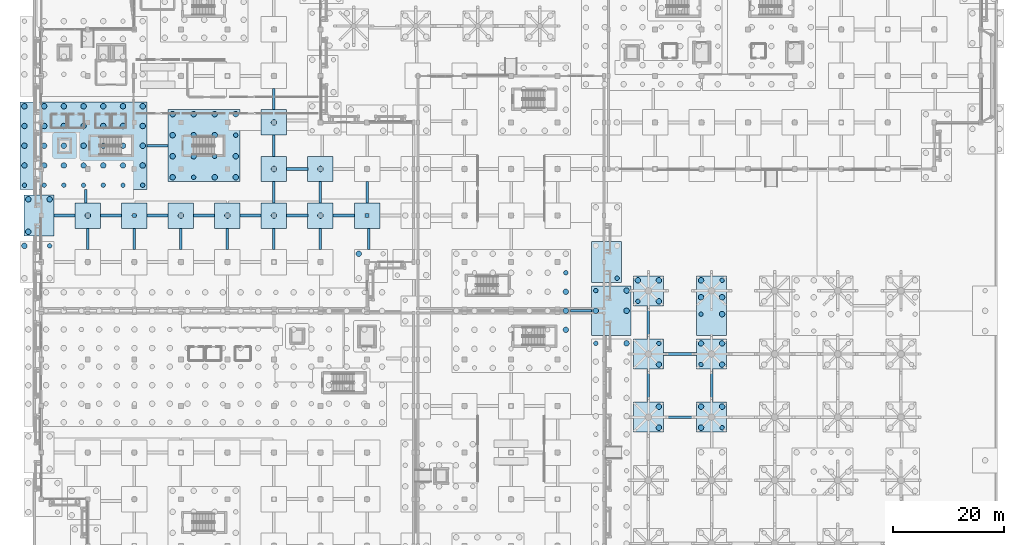
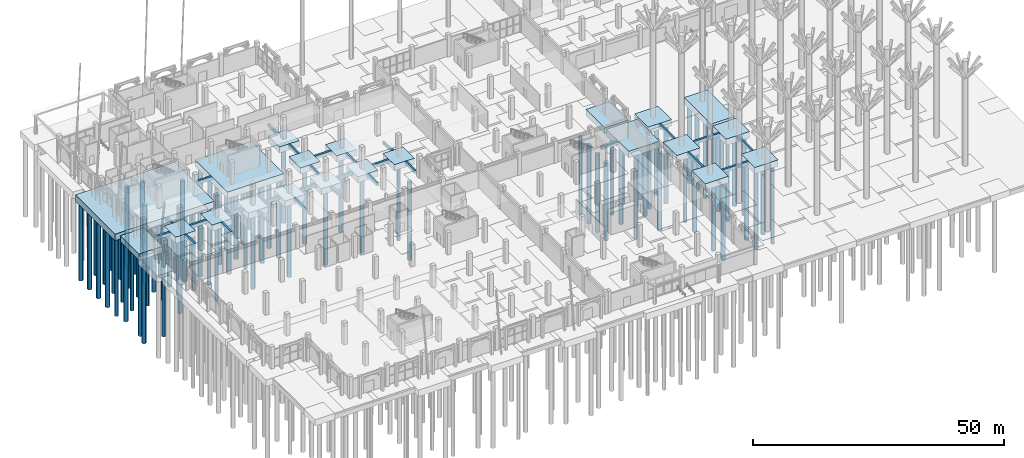
# One storey, part 4 of 98: 100 piles, 49 footings.
"""IFC4 building model written with IfcOpenShell, lengths in metres."""

from ifc_helpers import new_model, si_unit, direction, frame, origin, origin_2d, place, context, subcontext, project, spatial, rectangle, circle, extrude, material, material_profile, profile_set, type_object, element, save


model = new_model("IFC4")

# Units and contexts
model_context = context("Model", 3, precision=1e-05, world=origin(), true_north=direction((0.0, 1.0)))
body_context = subcontext(model_context, "Body", "Model", "MODEL_VIEW")
ifc_project = project(units=[si_unit("LENGTHUNIT", "METRE"), si_unit("AREAUNIT", "SQUARE_METRE"), si_unit("VOLUMEUNIT", "CUBIC_METRE"), si_unit("PLANEANGLEUNIT", "RADIAN"), si_unit("MASSUNIT", "GRAM", prefix="KILO")], contexts=[model_context])

# Site, building, storey
site_placement = place(None, origin())
site = spatial("IfcSite", under=ifc_project, at=site_placement, CompositionType="ELEMENT")
building_placement = place(site_placement, origin())
building = spatial("IfcBuilding", under=site, at=building_placement, Name="Xazarin Passage Department Store", CompositionType="ELEMENT")
storey_placement = place(building_placement, origin())
storey = spatial("IfcBuildingStorey", under=building, at=storey_placement, Name="L00", CompositionType="ELEMENT", Elevation=0.0)

# Footings
ifc_material = material(Name="Concrete C35/45", Category="concrete")
footing_type_1 = type_object("IfcFootingType", Name="STR-CAP-PC11", PredefinedType="PILE_CAP", material=ifc_material)
for number, where, z_axis, x_axis, name in (
    (1, (8.39990234375, 68.0, -1.5), (0.0, 0.0, 1.0), (1.0, 0.0, 0.0), "Pile Cap 093"),
    (2, (16.800048828125, 68.0, -1.5), (0.0, 0.0, 1.0), (1.0, 0.0, 0.0), "Pile Cap 094"),
    (3, (25.199951171875, 68.0, -1.5), (0.0, 0.0, 1.0), (1.0, 0.0, 0.0), "Pile Cap 095"),
    (4, (33.60009765625, 68.0, -1.5), (0.0, 0.0, 1.0), (1.0, 0.0, 0.0), "Pile Cap 096"),
    (5, (42.0, 68.0, -1.5), (0.0, 0.0, 1.0), (1.0, 0.0, 0.0), "Pile Cap 097"),
    (6, (50.39990234375, 68.0, -1.5), (0.0, 0.0, 1.0), (1.0, 0.0, 0.0), "Pile Cap 098"),
    (7, (58.800048828125, 68.0, -1.5), (0.0, 0.0, 1.0), (1.0, 0.0, 0.0), "Pile Cap 099"),
    (8, (42.0, 76.39990234375, -1.5), (0.0, 0.0, 1.0), (1.0, 0.0, 0.0), "Pile Cap 106"),
    (9, (50.39990234375, 76.39990234375, -1.5), (0.0, 0.0, 1.0), (1.0, 0.0, 0.0), "Pile Cap 107"),
    (10, (42.0, 84.800048828125, -1.5), (0.0, 0.0, 1.0), (1.0, 0.0, 0.0), "Pile Cap 123"),
):
    element("IfcFooting", number, at=place(storey_placement, frame(where, z_axis=z_axis, x_axis=x_axis)), inside=storey, type_object=footing_type_1, Name=name, PredefinedType="PILE_CAP", context=body_context, shape_type="SweptSolid", body=[
        extrude(rectangle(XDim=4.60009765625, YDim=4.60009765625, at=origin_2d()), origin(), (0.0, 0.0, 1.0), 1.5),
    ])
footing_type_2 = type_object("IfcFootingType", Name="STR-CAP-PC12", PredefinedType="PILE_CAP", material=ifc_material)
footing_1_placement = place(storey_placement, frame((29.39990234375, 80.60009765625, -1.60009765625), z_axis=(0.0, 0.0, 1.0), x_axis=(1.0, 0.0, 0.0)))
element("IfcFooting", 11, at=footing_1_placement, inside=storey, type_object=footing_type_2, Name="Pile Cap 105", PredefinedType="PILE_CAP", context=body_context, shape_type="SweptSolid", body=[
    extrude(rectangle(XDim=13.0, YDim=13.0, at=origin_2d()), origin(), (0.0, 0.0, 1.0), 1.60009765625),
])
footing_type_3 = type_object("IfcFootingType", Name="STR-CAP-PC14", PredefinedType="PILE_CAP", material=ifc_material)
for number, where, z_axis, x_axis, name in (
    (12, (109.60009765625, 31.60009765625, -1.5498046875), (0.0, 0.0, 1.0), (1.0, 0.0, 0.0), "Pile Cap 056"),
    (13, (121.0, 31.60009765625, -1.5498046875), (0.0, 0.0, 1.0), (1.0, 0.0, 0.0), "Pile Cap 057"),
    (14, (109.60009765625, 43.0, -1.5498046875), (0.0, 0.0, 1.0), (1.0, 0.0, 0.0), "Pile Cap 068"),
    (15, (121.0, 43.0, -1.5498046875), (0.0, 0.0, 1.0), (1.0, 0.0, 0.0), "Pile Cap 069"),
    (16, (109.60009765625, 54.39990234375, -1.5498046875), (0.0, 0.0, 1.0), (1.0, 0.0, 0.0), "Pile Cap 079"),
):
    element("IfcFooting", number, at=place(storey_placement, frame(where, z_axis=z_axis, x_axis=x_axis)), inside=storey, type_object=footing_type_3, Name=name, PredefinedType="PILE_CAP", context=body_context, shape_type="SweptSolid", body=[
        extrude(rectangle(XDim=5.39990234375, YDim=5.39990234375, at=origin_2d()), origin(), (0.0, 0.0, 1.0), 1.550048828125),
    ])
footing_type_4 = type_object("IfcFootingType", Name="STR-CAP-PC22", PredefinedType="PILE_CAP", material=ifc_material)
footing_2_placement = place(storey_placement, frame((102.8798828125, 50.800048828125, -1.60009765625), z_axis=(0.0, 0.0, 1.0), x_axis=(0.0, 1.0, 0.0)))
element("IfcFooting", 17, at=footing_2_placement, inside=storey, type_object=footing_type_4, Name="Pile Cap 073", PredefinedType="PILE_CAP", context=body_context, shape_type="SweptSolid", body=[
    extrude(rectangle(XDim=8.89990234375, YDim=7.14990234375, at=origin_2d()), origin(), (0.0, 0.0, 1.0), 1.60009765625),
])
footing_type_5 = type_object("IfcFootingType", Name="STR-CAP-PC23", PredefinedType="PILE_CAP", material=ifc_material)
footing_3_placement = place(storey_placement, frame((121.0, 51.719970703125, -1.60009765625), z_axis=(0.0, 0.0, 1.0), x_axis=(0.0, 1.0, 0.0)))
element("IfcFooting", 18, at=footing_3_placement, inside=storey, type_object=footing_type_5, Name="Pile Cap 074", PredefinedType="PILE_CAP", context=body_context, shape_type="SweptSolid", body=[
    extrude(rectangle(XDim=10.75, YDim=5.39990234375, at=origin_2d()), origin(), (0.0, 0.0, 1.0), 1.60009765625),
])
footing_type_6 = type_object("IfcFootingType", Name="STR-CAP-PC28", PredefinedType="PILE_CAP", material=ifc_material)
footing_4_placement = place(storey_placement, frame((7.625, 80.60009765625, -1.60009765625), z_axis=(0.0, 0.0, 1.0), x_axis=(1.0, 0.0, 0.0)))
element("IfcFooting", 19, at=footing_4_placement, inside=storey, type_object=footing_type_6, Name="Pile Cap 104", PredefinedType="PILE_CAP", context=body_context, shape_type="SweptSolid", body=[
    extrude(rectangle(XDim=22.949951171875, YDim=15.85009765625, at=origin_2d()), origin(), (0.0, 0.0, 1.0), 1.60009765625),
])
footing_type_7 = type_object("IfcFootingType", Name="STR-CAP-PC8", PredefinedType="PILE_CAP", material=ifc_material)
for number, where, z_axis, x_axis, name in (
    (20, (102.02490234375, 59.60009765625, -1.5498046875), (0.0, 0.0, 1.0), (0.0, 1.0, 0.0), "Pile Cap 083"),
    (21, (-0.425048828125, 68.0, -1.5498046875), (0.0, 0.0, 1.0), (0.0, 1.0, 0.0), "Pile Cap 091"),
):
    element("IfcFooting", number, at=place(storey_placement, frame(where, z_axis=z_axis, x_axis=x_axis)), inside=storey, type_object=footing_type_7, Name=name, PredefinedType="PILE_CAP", context=body_context, shape_type="SweptSolid", body=[
        extrude(rectangle(XDim=7.449951171875, YDim=5.449951171875, at=origin_2d()), origin(), (0.0, 0.0, 1.0), 1.550048828125),
    ])
ifc_material_profile_1 = material_profile(ifc_material, rectangle(XDim=0.449951171875, YDim=0.699951171875, at=origin_2d()), Name="RC 450x700")
ifc_profile_set_1 = profile_set([ifc_material_profile_1], Name="Concrete C35/45")
footing_type_8 = type_object("IfcFootingType", Name="STR-FTG-TB450x700", PredefinedType="FOOTING_BEAM", material=ifc_profile_set_1)
for number, where, z_axis, x_axis, name in (
    (22, (109.60009765625, 34.300048828125, -0.35009765625), (0.0, 1.0, 0.0), (-1.0, 0.0, 0.0), "Ground Tie Beam 052"),
    (23, (121.0, 34.300048828125, -0.35009765625), (0.0, 1.0, 0.0), (-1.0, 0.0, 0.0), "Ground Tie Beam 054"),
    (24, (109.60009765625, 45.699951171875, -0.35009765625), (0.0, 1.0, 0.0), (-1.0, 0.0, 0.0), "Ground Tie Beam 070"),
):
    element("IfcFooting", number, at=place(storey_placement, frame(where, z_axis=z_axis, x_axis=x_axis)), inside=storey, type_object=footing_type_8, Name=name, PredefinedType="FOOTING_BEAM", context=body_context, shape_type="SweptSolid", body=[
        extrude(rectangle(XDim=0.449951171875, YDim=0.699951171875, at=origin_2d()), origin(), (0.0, 0.0, 1.0), 6.0),
    ])
footing_5_placement = place(storey_placement, frame((59.155029296875, 61.889892578125, -0.35009765625), z_axis=(0.0, 1.0, 0.0), x_axis=(-1.0, 0.0, 0.0)))
element("IfcFooting", 25, at=footing_5_placement, inside=storey, type_object=footing_type_8, Name="Ground Tie Beam 078", PredefinedType="FOOTING_BEAM", context=body_context, shape_type="SweptSolid", body=[
    extrude(rectangle(XDim=0.449951171875, YDim=0.699951171875, at=origin_2d()), origin(), (0.0, 0.0, 1.0), 3.81005859375),
])
for number, where, z_axis, x_axis, name in (
    (26, (8.39990234375, 61.89990234375, -0.35009765625), (0.0, 1.0, 0.0), (-1.0, 0.0, 0.0), "Ground Tie Beam 081"),
    (27, (16.800048828125, 61.89990234375, -0.35009765625), (0.0, 1.0, 0.0), (-1.0, 0.0, 0.0), "Ground Tie Beam 083"),
    (28, (25.199951171875, 61.89990234375, -0.35009765625), (0.0, 1.0, 0.0), (-1.0, 0.0, 0.0), "Ground Tie Beam 085"),
    (29, (33.60009765625, 61.89990234375, -0.35009765625), (0.0, 1.0, 0.0), (-1.0, 0.0, 0.0), "Ground Tie Beam 087"),
    (30, (42.0, 61.89990234375, -0.35009765625), (0.0, 1.0, 0.0), (-1.0, 0.0, 0.0), "Ground Tie Beam 089"),
    (31, (50.39990234375, 61.89990234375, -0.35009765625), (0.0, 1.0, 0.0), (-1.0, 0.0, 0.0), "Ground Tie Beam 090"),
):
    element("IfcFooting", number, at=place(storey_placement, frame(where, z_axis=z_axis, x_axis=x_axis)), inside=storey, type_object=footing_type_8, Name=name, PredefinedType="FOOTING_BEAM", context=body_context, shape_type="SweptSolid", body=[
        extrude(rectangle(XDim=0.449951171875, YDim=0.699951171875, at=origin_2d()), origin(), (0.0, 0.0, 1.0), 3.800048828125),
    ])
footing_6_placement = place(storey_placement, frame((8.012451171875, 70.300048828125, -0.35009765625), z_axis=(0.0, 1.0, 0.0), x_axis=(-1.0, 0.0, 0.0)))
element("IfcFooting", 32, at=footing_6_placement, inside=storey, type_object=footing_type_8, Name="Ground Tie Beam 094", PredefinedType="FOOTING_BEAM", context=body_context, shape_type="SweptSolid", body=[
    extrude(rectangle(XDim=0.449951171875, YDim=0.699951171875, at=origin_2d()), origin(), (0.0, 0.0, 1.0), 2.375),
])
for number, where, z_axis, x_axis, name in (
    (33, (42.0, 70.300048828125, -0.35009765625), (0.0, 1.0, 0.0), (-1.0, 0.0, 0.0), "Ground Tie Beam 099"),
    (34, (50.39990234375, 70.300048828125, -0.35009765625), (0.0, 1.0, 0.0), (-1.0, 0.0, 0.0), "Ground Tie Beam 101"),
    (35, (58.800048828125, 70.300048828125, -0.35009765625), (0.0, 1.0, 0.0), (-1.0, 0.0, 0.0), "Ground Tie Beam 103"),
    (36, (42.0, 78.699951171875, -0.35009765625), (0.0, 1.0, 0.0), (-1.0, 0.0, 0.0), "Ground Tie Beam 113"),
):
    element("IfcFooting", number, at=place(storey_placement, frame(where, z_axis=z_axis, x_axis=x_axis)), inside=storey, type_object=footing_type_8, Name=name, PredefinedType="FOOTING_BEAM", context=body_context, shape_type="SweptSolid", body=[
        extrude(rectangle(XDim=0.449951171875, YDim=0.699951171875, at=origin_2d()), origin(), (0.0, 0.0, 1.0), 3.800048828125),
    ])
footing_7_placement = place(storey_placement, frame((42.0, 87.10009765625, -0.35009765625), z_axis=(0.0, 1.0, 0.0), x_axis=(-1.0, 0.0, 0.0)))
element("IfcFooting", 37, at=footing_7_placement, inside=storey, type_object=footing_type_8, Name="Ground Tie Beam 140", PredefinedType="FOOTING_BEAM", context=body_context, shape_type="SweptSolid", body=[
    extrude(rectangle(XDim=0.449951171875, YDim=0.699951171875, at=origin_2d()), origin(), (0.0, 0.0, 1.0), 3.7998046875),
])
ifc_material_profile_2 = material_profile(ifc_material, rectangle(XDim=0.5, YDim=0.800048828125, at=origin_2d()), Name="RC 500x800")
ifc_profile_set_2 = profile_set([ifc_material_profile_2], Name="Concrete C35/45")
footing_type_9 = type_object("IfcFootingType", Name="STR-FTG-TB500x800", PredefinedType="FOOTING_BEAM", material=ifc_profile_set_2)
footing_8_placement = place(storey_placement, frame((112.300048828125, 31.60009765625, -0.39990234375), z_axis=(1.0, 0.0, 0.0), x_axis=(0.0, 1.0, 0.0)))
element("IfcFooting", 38, at=footing_8_placement, inside=storey, type_object=footing_type_9, Name="Ground Tie Beam 051", PredefinedType="FOOTING_BEAM", context=body_context, shape_type="SweptSolid", body=[
    extrude(rectangle(XDim=0.5, YDim=0.800048828125, at=origin_2d()), origin(), (0.0, 0.0, 1.0), 6.0),
])
footing_9_placement = place(storey_placement, frame((95.5, 50.800048828125, -0.39990234375), z_axis=(1.0, 0.0, 0.0), x_axis=(0.0, 1.0, 0.0)))
element("IfcFooting", 39, at=footing_9_placement, inside=storey, type_object=footing_type_9, Name="Ground Tie Beam 067", PredefinedType="FOOTING_BEAM", context=body_context, shape_type="SweptSolid", body=[
    extrude(rectangle(XDim=0.5, YDim=0.800048828125, at=origin_2d()), origin(), (0.0, 0.0, 1.0), 3.804931640625),
])
footing_10_placement = place(storey_placement, frame((112.300048828125, 43.0, -0.39990234375), z_axis=(1.0, 0.0, 0.0), x_axis=(0.0, 1.0, 0.0)))
element("IfcFooting", 40, at=footing_10_placement, inside=storey, type_object=footing_type_9, Name="Ground Tie Beam 069", PredefinedType="FOOTING_BEAM", context=body_context, shape_type="SweptSolid", body=[
    extrude(rectangle(XDim=0.5, YDim=0.800048828125, at=origin_2d()), origin(), (0.0, 0.0, 1.0), 6.0),
])
for number, where, z_axis, x_axis, name in (
    (41, (2.300048828125, 68.0, -0.39990234375), (1.0, 0.0, 0.0), (0.0, 1.0, 0.0), "Ground Tie Beam 091"),
    (42, (10.699951171875, 68.0, -0.39990234375), (1.0, 0.0, 0.0), (0.0, 1.0, 0.0), "Ground Tie Beam 093"),
):
    element("IfcFooting", number, at=place(storey_placement, frame(where, z_axis=z_axis, x_axis=x_axis)), inside=storey, type_object=footing_type_9, Name=name, PredefinedType="FOOTING_BEAM", context=body_context, shape_type="SweptSolid", body=[
        extrude(rectangle(XDim=0.5, YDim=0.800048828125, at=origin_2d()), origin(), (0.0, 0.0, 1.0), 3.800048828125),
    ])
footing_11_placement = place(storey_placement, frame((19.10009765625, 68.0, -0.39990234375), z_axis=(1.0, 0.0, 0.0), x_axis=(0.0, 1.0, 0.0)))
element("IfcFooting", 43, at=footing_11_placement, inside=storey, type_object=footing_type_9, Name="Ground Tie Beam 095", PredefinedType="FOOTING_BEAM", context=body_context, shape_type="SweptSolid", body=[
    extrude(rectangle(XDim=0.5, YDim=0.800048828125, at=origin_2d()), origin(), (0.0, 0.0, 1.0), 3.7998046875),
])
for number, where, z_axis, x_axis, name in (
    (44, (27.5, 68.0, -0.39990234375), (1.0, 0.0, 0.0), (0.0, 1.0, 0.0), "Ground Tie Beam 096"),
    (45, (35.89990234375, 68.0, -0.39990234375), (1.0, 0.0, 0.0), (0.0, 1.0, 0.0), "Ground Tie Beam 097"),
    (46, (44.300048828125, 68.0, -0.39990234375), (1.0, 0.0, 0.0), (0.0, 1.0, 0.0), "Ground Tie Beam 098"),
    (47, (52.699951171875, 68.0, -0.39990234375), (1.0, 0.0, 0.0), (0.0, 1.0, 0.0), "Ground Tie Beam 100"),
):
    element("IfcFooting", number, at=place(storey_placement, frame(where, z_axis=z_axis, x_axis=x_axis)), inside=storey, type_object=footing_type_9, Name=name, PredefinedType="FOOTING_BEAM", context=body_context, shape_type="SweptSolid", body=[
        extrude(rectangle(XDim=0.5, YDim=0.800048828125, at=origin_2d()), origin(), (0.0, 0.0, 1.0), 3.800048828125),
    ])
footing_12_placement = place(storey_placement, frame((19.10009765625, 80.60009765625, -0.39990234375), z_axis=(1.0, 0.0, 0.0), x_axis=(0.0, 1.0, 0.0)))
element("IfcFooting", 48, at=footing_12_placement, inside=storey, type_object=footing_type_9, Name="Ground Tie Beam 111", PredefinedType="FOOTING_BEAM", context=body_context, shape_type="SweptSolid", body=[
    extrude(rectangle(XDim=0.5, YDim=0.800048828125, at=origin_2d()), origin(), (0.0, 0.0, 1.0), 3.7998046875),
])
footing_13_placement = place(storey_placement, frame((44.300048828125, 76.39990234375, -0.39990234375), z_axis=(1.0, 0.0, 0.0), x_axis=(0.0, 1.0, 0.0)))
element("IfcFooting", 49, at=footing_13_placement, inside=storey, type_object=footing_type_9, Name="Ground Tie Beam 112", PredefinedType="FOOTING_BEAM", context=body_context, shape_type="SweptSolid", body=[
    extrude(rectangle(XDim=0.5, YDim=0.800048828125, at=origin_2d()), origin(), (0.0, 0.0, 1.0), 3.800048828125),
])

# Piles
ifc_material_profile_3 = material_profile(ifc_material, circle(Radius=0.5, at=origin_2d()), Name="BP 1000")
ifc_profile_set_3 = profile_set([ifc_material_profile_3], Name="Concrete C35/45")
pile_type_1 = type_object("IfcPileType", Name="STR-PIL-BP1000", PredefinedType="BORED", material=ifc_profile_set_3)
pile_1_placement = place(storey_placement, frame((105.655029296875, 44.925048828125, -1.5), z_axis=(0.0, 0.0, -1.0), x_axis=(1.0, 0.0, 0.0)))
element("IfcPile", 50, at=pile_1_placement, inside=storey, type_object=pile_type_1, Name="Bored Pile 018-24", PredefinedType="BORED", context=body_context, shape_type="SweptSolid", body=[
    extrude(circle(Radius=0.5, at=origin_2d()), origin(), (0.0, 0.0, 1.0), 19.0),
])
for number, where, z_axis, x_axis, name in (
    (51, (111.5, 29.699951171875, -1.449951171875), (0.0, 0.0, -1.0), (1.0, 0.0, 0.0), "Bored Pile 056-1"),
    (52, (111.5, 33.5, -1.449951171875), (0.0, 0.0, -1.0), (1.0, 0.0, 0.0), "Bored Pile 056-2"),
    (53, (119.10009765625, 29.699951171875, -1.449951171875), (0.0, 0.0, -1.0), (1.0, 0.0, 0.0), "Bored Pile 057-1"),
    (54, (119.10009765625, 33.5, -1.449951171875), (0.0, 0.0, -1.0), (1.0, 0.0, 0.0), "Bored Pile 057-2"),
    (55, (122.89990234375, 33.5, -1.449951171875), (0.0, 0.0, -1.0), (1.0, 0.0, 0.0), "Bored Pile 057-4"),
):
    element("IfcPile", number, at=place(storey_placement, frame(where, z_axis=z_axis, x_axis=x_axis)), inside=storey, type_object=pile_type_1, Name=name, PredefinedType="BORED", context=body_context, shape_type="SweptSolid", body=[
        extrude(circle(Radius=0.5, at=origin_2d()), origin(), (0.0, 0.0, 1.0), 19.050048828125),
    ])
for number, where, z_axis, x_axis, name in (
    (56, (94.699951171875, 47.36669921875, -1.5), (0.0, 0.0, -1.0), (1.0, 0.0, 0.0), "Bored Pile 067-45"),
    (57, (94.699951171875, 50.800048828125, -1.5), (0.0, 0.0, -1.0), (1.0, 0.0, 0.0), "Bored Pile 067-46"),
    (58, (94.699951171875, 54.2333984375, -1.5), (0.0, 0.0, -1.0), (1.0, 0.0, 0.0), "Bored Pile 067-47"),
):
    element("IfcPile", number, at=place(storey_placement, frame(where, z_axis=z_axis, x_axis=x_axis)), inside=storey, type_object=pile_type_1, Name=name, PredefinedType="BORED", context=body_context, shape_type="SweptSolid", body=[
        extrude(circle(Radius=0.5, at=origin_2d()), origin(), (0.0, 0.0, 1.0), 19.0),
    ])
for number, where, z_axis, x_axis, name in (
    (59, (111.5, 41.10009765625, -1.449951171875), (0.0, 0.0, -1.0), (1.0, 0.0, 0.0), "Bored Pile 068-1"),
    (60, (119.10009765625, 44.89990234375, -1.449951171875), (0.0, 0.0, -1.0), (1.0, 0.0, 0.0), "Bored Pile 069-2"),
    (61, (122.89990234375, 41.10009765625, -1.449951171875), (0.0, 0.0, -1.0), (1.0, 0.0, 0.0), "Bored Pile 069-3"),
    (62, (122.89990234375, 44.89990234375, -1.449951171875), (0.0, 0.0, -1.0), (1.0, 0.0, 0.0), "Bored Pile 069-4"),
):
    element("IfcPile", number, at=place(storey_placement, frame(where, z_axis=z_axis, x_axis=x_axis)), inside=storey, type_object=pile_type_1, Name=name, PredefinedType="BORED", context=body_context, shape_type="SweptSolid", body=[
        extrude(circle(Radius=0.5, at=origin_2d()), origin(), (0.0, 0.0, 1.0), 19.050048828125),
    ])
for number, where, z_axis, x_axis, name in (
    (63, (100.10498046875, 50.800048828125, -1.5), (0.0, 0.0, -1.0), (1.0, 0.0, 0.0), "Bored Pile 073-1"),
    (64, (105.655029296875, 50.800048828125, -1.5), (0.0, 0.0, -1.0), (1.0, 0.0, 0.0), "Bored Pile 073-3"),
    (65, (105.655029296875, 54.449951171875, -1.5), (0.0, 0.0, -1.0), (1.0, 0.0, 0.0), "Bored Pile 073-4"),
    (66, (119.10009765625, 53.2451171875, -1.5), (0.0, 0.0, -1.0), (1.0, 0.0, 0.0), "Bored Pile 074-2"),
    (67, (119.10009765625, 56.294921875, -1.5), (0.0, 0.0, -1.0), (1.0, 0.0, 0.0), "Bored Pile 074-3"),
    (68, (122.89990234375, 50.195068359375, -1.5), (0.0, 0.0, -1.0), (1.0, 0.0, 0.0), "Bored Pile 074-4"),
    (69, (122.89990234375, 53.2451171875, -1.5), (0.0, 0.0, -1.0), (1.0, 0.0, 0.0), "Bored Pile 074-5"),
):
    element("IfcPile", number, at=place(storey_placement, frame(where, z_axis=z_axis, x_axis=x_axis)), inside=storey, type_object=pile_type_1, Name=name, PredefinedType="BORED", context=body_context, shape_type="SweptSolid", body=[
        extrude(circle(Radius=0.5, at=origin_2d()), origin(), (0.0, 0.0, 1.0), 19.0),
    ])
for number, where, z_axis, x_axis, name in (
    (70, (107.699951171875, 56.300048828125, -1.449951171875), (0.0, 0.0, -1.0), (1.0, 0.0, 0.0), "Bored Pile 079-2"),
    (71, (111.5, 52.5, -1.449951171875), (0.0, 0.0, -1.0), (1.0, 0.0, 0.0), "Bored Pile 079-3"),
    (72, (111.5, 56.300048828125, -1.449951171875), (0.0, 0.0, -1.0), (1.0, 0.0, 0.0), "Bored Pile 079-4"),
):
    element("IfcPile", number, at=place(storey_placement, frame(where, z_axis=z_axis, x_axis=x_axis)), inside=storey, type_object=pile_type_1, Name=name, PredefinedType="BORED", context=body_context, shape_type="SweptSolid", body=[
        extrude(circle(Radius=0.5, at=origin_2d()), origin(), (0.0, 0.0, 1.0), 19.050048828125),
    ])
pile_2_placement = place(storey_placement, frame((-3.050048828125, 62.52490234375, -1.5), z_axis=(0.0, 0.0, -1.0), x_axis=(1.0, 0.0, 0.0)))
element("IfcPile", 73, at=pile_2_placement, inside=storey, type_object=pile_type_1, Name="Bored Pile 081-2", PredefinedType="BORED", context=body_context, shape_type="SweptSolid", body=[
    extrude(circle(Radius=0.5, at=origin_2d()), origin(), (0.0, 0.0, 1.0), 19.0),
])
for number, where, z_axis, x_axis, name in (
    (74, (57.31005859375, 61.090087890625, -1.449951171875), (0.0, 0.0, -1.0), (1.0, 0.0, 0.0), "Bored Pile 082-2"),
    (75, (-2.35009765625, 65.074951171875, -1.449951171875), (0.0, 0.0, -1.0), (1.0, 0.0, 0.0), "Bored Pile 091-1"),
    (76, (-2.35009765625, 70.925048828125, -1.449951171875), (0.0, 0.0, -1.0), (1.0, 0.0, 0.0), "Bored Pile 091-2"),
    (77, (1.5, 70.925048828125, -1.449951171875), (0.0, 0.0, -1.0), (1.0, 0.0, 0.0), "Bored Pile 091-3"),
):
    element("IfcPile", number, at=place(storey_placement, frame(where, z_axis=z_axis, x_axis=x_axis)), inside=storey, type_object=pile_type_1, Name=name, PredefinedType="BORED", context=body_context, shape_type="SweptSolid", body=[
        extrude(circle(Radius=0.5, at=origin_2d()), origin(), (0.0, 0.0, 1.0), 19.050048828125),
    ])
for number, where, z_axis, x_axis, name in (
    (78, (8.39990234375, 68.0, -1.39990234375), (0.0, 0.0, -1.0), (1.0, 0.0, 0.0), "Bored Pile 093-1"),
    (79, (25.199951171875, 68.0, -1.39990234375), (0.0, 0.0, -1.0), (1.0, 0.0, 0.0), "Bored Pile 095-1"),
    (80, (33.60009765625, 68.0, -1.39990234375), (0.0, 0.0, -1.0), (1.0, 0.0, 0.0), "Bored Pile 096-1"),
    (81, (42.0, 68.0, -1.39990234375), (0.0, 0.0, -1.0), (1.0, 0.0, 0.0), "Bored Pile 097-1"),
    (82, (50.39990234375, 68.0, -1.39990234375), (0.0, 0.0, -1.0), (1.0, 0.0, 0.0), "Bored Pile 098-1"),
):
    element("IfcPile", number, at=place(storey_placement, frame(where, z_axis=z_axis, x_axis=x_axis)), inside=storey, type_object=pile_type_1, Name=name, PredefinedType="BORED", context=body_context, shape_type="SweptSolid", body=[
        extrude(circle(Radius=0.5, at=origin_2d()), origin(), (0.0, 0.0, 1.0), 19.10009765625),
    ])
for number, where, z_axis, x_axis, name in (
    (83, (-3.050048828125, 77.03759765625, -1.5), (0.0, 0.0, -1.0), (1.0, 0.0, 0.0), "Bored Pile 104-2"),
    (84, (-3.050048828125, 80.60009765625, -1.5), (0.0, 0.0, -1.0), (1.0, 0.0, 0.0), "Bored Pile 104-3"),
    (85, (-3.050048828125, 84.16259765625, -1.5), (0.0, 0.0, -1.0), (1.0, 0.0, 0.0), "Bored Pile 104-4"),
    (86, (-3.050048828125, 87.72509765625, -1.5), (0.0, 0.0, -1.0), (1.0, 0.0, 0.0), "Bored Pile 104-5"),
    (87, (0.50830078125, 77.03759765625, -1.5), (0.0, 0.0, -1.0), (1.0, 0.0, 0.0), "Bored Pile 104-7"),
    (88, (0.50830078125, 80.60009765625, -1.5), (0.0, 0.0, -1.0), (1.0, 0.0, 0.0), "Bored Pile 104-8"),
    (89, (0.50830078125, 84.16259765625, -1.5), (0.0, 0.0, -1.0), (1.0, 0.0, 0.0), "Bored Pile 104-9"),
    (90, (0.50830078125, 87.72509765625, -1.5), (0.0, 0.0, -1.0), (1.0, 0.0, 0.0), "Bored Pile 104-10"),
    (91, (4.066650390625, 77.03759765625, -1.5), (0.0, 0.0, -1.0), (1.0, 0.0, 0.0), "Bored Pile 104-12"),
    (92, (4.066650390625, 80.60009765625, -1.5), (0.0, 0.0, -1.0), (1.0, 0.0, 0.0), "Bored Pile 104-13"),
    (93, (4.066650390625, 84.16259765625, -1.5), (0.0, 0.0, -1.0), (1.0, 0.0, 0.0), "Bored Pile 104-14"),
    (94, (4.066650390625, 87.72509765625, -1.5), (0.0, 0.0, -1.0), (1.0, 0.0, 0.0), "Bored Pile 104-15"),
    (95, (7.625, 77.03759765625, -1.5), (0.0, 0.0, -1.0), (1.0, 0.0, 0.0), "Bored Pile 104-17"),
    (96, (7.625, 80.60009765625, -1.5), (0.0, 0.0, -1.0), (1.0, 0.0, 0.0), "Bored Pile 104-18"),
    (97, (7.625, 84.16259765625, -1.5), (0.0, 0.0, -1.0), (1.0, 0.0, 0.0), "Bored Pile 104-19"),
    (98, (7.625, 87.72509765625, -1.5), (0.0, 0.0, -1.0), (1.0, 0.0, 0.0), "Bored Pile 104-20"),
    (99, (11.183349609375, 77.03759765625, -1.5), (0.0, 0.0, -1.0), (1.0, 0.0, 0.0), "Bored Pile 104-22"),
    (100, (11.183349609375, 80.60009765625, -1.5), (0.0, 0.0, -1.0), (1.0, 0.0, 0.0), "Bored Pile 104-23"),
    (101, (11.183349609375, 84.16259765625, -1.5), (0.0, 0.0, -1.0), (1.0, 0.0, 0.0), "Bored Pile 104-24"),
    (102, (11.183349609375, 87.72509765625, -1.5), (0.0, 0.0, -1.0), (1.0, 0.0, 0.0), "Bored Pile 104-25"),
    (103, (14.74169921875, 77.03759765625, -1.5), (0.0, 0.0, -1.0), (1.0, 0.0, 0.0), "Bored Pile 104-27"),
    (104, (14.74169921875, 80.60009765625, -1.5), (0.0, 0.0, -1.0), (1.0, 0.0, 0.0), "Bored Pile 104-28"),
    (105, (14.74169921875, 84.16259765625, -1.5), (0.0, 0.0, -1.0), (1.0, 0.0, 0.0), "Bored Pile 104-29"),
    (106, (14.74169921875, 87.72509765625, -1.5), (0.0, 0.0, -1.0), (1.0, 0.0, 0.0), "Bored Pile 104-30"),
    (107, (18.300048828125, 77.03759765625, -1.5), (0.0, 0.0, -1.0), (1.0, 0.0, 0.0), "Bored Pile 104-32"),
    (108, (18.300048828125, 80.60009765625, -1.5), (0.0, 0.0, -1.0), (1.0, 0.0, 0.0), "Bored Pile 104-33"),
    (109, (18.300048828125, 84.16259765625, -1.5), (0.0, 0.0, -1.0), (1.0, 0.0, 0.0), "Bored Pile 104-34"),
    (110, (18.300048828125, 87.72509765625, -1.5), (0.0, 0.0, -1.0), (1.0, 0.0, 0.0), "Bored Pile 104-35"),
    (111, (23.699951171875, 74.89990234375, -1.5), (0.0, 0.0, -1.0), (1.0, 0.0, 0.0), "Bored Pile 105-1"),
    (112, (23.699951171875, 78.699951171875, -1.5), (0.0, 0.0, -1.0), (1.0, 0.0, 0.0), "Bored Pile 105-2"),
    (113, (23.699951171875, 82.5, -1.5), (0.0, 0.0, -1.0), (1.0, 0.0, 0.0), "Bored Pile 105-3"),
    (114, (23.699951171875, 86.300048828125, -1.5), (0.0, 0.0, -1.0), (1.0, 0.0, 0.0), "Bored Pile 105-4"),
    (115, (27.5, 78.699951171875, -1.5), (0.0, 0.0, -1.0), (1.0, 0.0, 0.0), "Bored Pile 105-6"),
    (116, (27.5, 82.5, -1.5), (0.0, 0.0, -1.0), (1.0, 0.0, 0.0), "Bored Pile 105-7"),
    (117, (27.5, 86.300048828125, -1.5), (0.0, 0.0, -1.0), (1.0, 0.0, 0.0), "Bored Pile 105-8"),
    (118, (31.300048828125, 74.89990234375, -1.5), (0.0, 0.0, -1.0), (1.0, 0.0, 0.0), "Bored Pile 105-9"),
    (119, (31.300048828125, 82.5, -1.5), (0.0, 0.0, -1.0), (1.0, 0.0, 0.0), "Bored Pile 105-11"),
    (120, (31.300048828125, 86.300048828125, -1.5), (0.0, 0.0, -1.0), (1.0, 0.0, 0.0), "Bored Pile 105-12"),
    (121, (35.10009765625, 74.89990234375, -1.5), (0.0, 0.0, -1.0), (1.0, 0.0, 0.0), "Bored Pile 105-13"),
    (122, (35.10009765625, 78.699951171875, -1.5), (0.0, 0.0, -1.0), (1.0, 0.0, 0.0), "Bored Pile 105-14"),
    (123, (35.10009765625, 86.300048828125, -1.5), (0.0, 0.0, -1.0), (1.0, 0.0, 0.0), "Bored Pile 105-16"),
):
    element("IfcPile", number, at=place(storey_placement, frame(where, z_axis=z_axis, x_axis=x_axis)), inside=storey, type_object=pile_type_1, Name=name, PredefinedType="BORED", context=body_context, shape_type="SweptSolid", body=[
        extrude(circle(Radius=0.5, at=origin_2d()), origin(), (0.0, 0.0, 1.0), 19.0),
    ])
for number, where, z_axis, x_axis, name in (
    (124, (42.0, 76.39990234375, -1.39990234375), (0.0, 0.0, -1.0), (1.0, 0.0, 0.0), "Bored Pile 106-1"),
    (125, (50.39990234375, 76.39990234375, -1.39990234375), (0.0, 0.0, -1.0), (1.0, 0.0, 0.0), "Bored Pile 107-1"),
    (126, (42.0, 84.800048828125, -1.39990234375), (0.0, 0.0, -1.0), (1.0, 0.0, 0.0), "Bored Pile 123-1"),
):
    element("IfcPile", number, at=place(storey_placement, frame(where, z_axis=z_axis, x_axis=x_axis)), inside=storey, type_object=pile_type_1, Name=name, PredefinedType="BORED", context=body_context, shape_type="SweptSolid", body=[
        extrude(circle(Radius=0.5, at=origin_2d()), origin(), (0.0, 0.0, 1.0), 19.10009765625),
    ])
ifc_material_profile_4 = material_profile(ifc_material, circle(Radius=0.39990234375, at=origin_2d()), Name="BP 800")
ifc_profile_set_4 = profile_set([ifc_material_profile_4], Name="Concrete C35/45")
pile_type_2 = type_object("IfcPileType", Name="STR-PIL-BP800", PredefinedType="BORED", material=ifc_profile_set_4)
pile_3_placement = place(storey_placement, frame((100.10498046875, 44.925048828125, -1.5), z_axis=(0.0, 0.0, -1.0), x_axis=(1.0, 0.0, 0.0)))
element("IfcPile", 127, at=pile_3_placement, inside=storey, type_object=pile_type_2, Name="Bored Pile 018-12", PredefinedType="BORED", context=body_context, shape_type="SweptSolid", body=[
    extrude(circle(Radius=0.39990234375, at=origin_2d()), origin(), (0.0, 0.0, 1.0), 19.0),
])
pile_4_placement = place(storey_placement, frame((122.89990234375, 29.699951171875, -1.449951171875), z_axis=(0.0, 0.0, -1.0), x_axis=(1.0, 0.0, 0.0)))
element("IfcPile", 128, at=pile_4_placement, inside=storey, type_object=pile_type_2, Name="Bored Pile 057-3", PredefinedType="BORED", context=body_context, shape_type="SweptSolid", body=[
    extrude(circle(Radius=0.39990234375, at=origin_2d()), origin(), (0.0, 0.0, 1.0), 19.050048828125),
])
pile_5_placement = place(storey_placement, frame((94.699951171875, 57.666748046875, -1.5), z_axis=(0.0, 0.0, -1.0), x_axis=(1.0, 0.0, 0.0)))
element("IfcPile", 129, at=pile_5_placement, inside=storey, type_object=pile_type_2, Name="Bored Pile 067-48", PredefinedType="BORED", context=body_context, shape_type="SweptSolid", body=[
    extrude(circle(Radius=0.39990234375, at=origin_2d()), origin(), (0.0, 0.0, 1.0), 19.0),
])
for number, where, z_axis, x_axis, name in (
    (130, (111.5, 44.89990234375, -1.449951171875), (0.0, 0.0, -1.0), (1.0, 0.0, 0.0), "Bored Pile 068-2"),
    (131, (119.10009765625, 41.10009765625, -1.449951171875), (0.0, 0.0, -1.0), (1.0, 0.0, 0.0), "Bored Pile 069-1"),
):
    element("IfcPile", number, at=place(storey_placement, frame(where, z_axis=z_axis, x_axis=x_axis)), inside=storey, type_object=pile_type_2, Name=name, PredefinedType="BORED", context=body_context, shape_type="SweptSolid", body=[
        extrude(circle(Radius=0.39990234375, at=origin_2d()), origin(), (0.0, 0.0, 1.0), 19.050048828125),
    ])
for number, where, z_axis, x_axis, name in (
    (132, (100.10498046875, 54.449951171875, -1.5), (0.0, 0.0, -1.0), (1.0, 0.0, 0.0), "Bored Pile 073-2"),
    (133, (119.10009765625, 50.195068359375, -1.5), (0.0, 0.0, -1.0), (1.0, 0.0, 0.0), "Bored Pile 074-1"),
    (134, (122.89990234375, 56.294921875, -1.5), (0.0, 0.0, -1.0), (1.0, 0.0, 0.0), "Bored Pile 074-6"),
):
    element("IfcPile", number, at=place(storey_placement, frame(where, z_axis=z_axis, x_axis=x_axis)), inside=storey, type_object=pile_type_2, Name=name, PredefinedType="BORED", context=body_context, shape_type="SweptSolid", body=[
        extrude(circle(Radius=0.39990234375, at=origin_2d()), origin(), (0.0, 0.0, 1.0), 19.0),
    ])
pile_6_placement = place(storey_placement, frame((107.699951171875, 52.5, -1.449951171875), z_axis=(0.0, 0.0, -1.0), x_axis=(1.0, 0.0, 0.0)))
element("IfcPile", 135, at=pile_6_placement, inside=storey, type_object=pile_type_2, Name="Bored Pile 079-1", PredefinedType="BORED", context=body_context, shape_type="SweptSolid", body=[
    extrude(circle(Radius=0.39990234375, at=origin_2d()), origin(), (0.0, 0.0, 1.0), 19.050048828125),
])
pile_7_placement = place(storey_placement, frame((1.5, 62.52490234375, -1.5), z_axis=(0.0, 0.0, -1.0), x_axis=(1.0, 0.0, 0.0)))
element("IfcPile", 136, at=pile_7_placement, inside=storey, type_object=pile_type_2, Name="Bored Pile 081-4", PredefinedType="BORED", context=body_context, shape_type="SweptSolid", body=[
    extrude(circle(Radius=0.39990234375, at=origin_2d()), origin(), (0.0, 0.0, 1.0), 19.0),
])
pile_8_placement = place(storey_placement, frame((103.949951171875, 56.675048828125, -1.449951171875), z_axis=(0.0, 0.0, -1.0), x_axis=(1.0, 0.0, 0.0)))
element("IfcPile", 137, at=pile_8_placement, inside=storey, type_object=pile_type_2, Name="Bored Pile 083-2", PredefinedType="BORED", context=body_context, shape_type="SweptSolid", body=[
    extrude(circle(Radius=0.39990234375, at=origin_2d()), origin(), (0.0, 0.0, 1.0), 19.050048828125),
])
for number, where, z_axis, x_axis, name in (
    (138, (16.800048828125, 68.0, -1.39990234375), (0.0, 0.0, -1.0), (1.0, 0.0, 0.0), "Bored Pile 094-1"),
    (139, (58.800048828125, 68.0, -1.39990234375), (0.0, 0.0, -1.0), (1.0, 0.0, 0.0), "Bored Pile 099-1"),
):
    element("IfcPile", number, at=place(storey_placement, frame(where, z_axis=z_axis, x_axis=x_axis)), inside=storey, type_object=pile_type_2, Name=name, PredefinedType="BORED", context=body_context, shape_type="SweptSolid", body=[
        extrude(circle(Radius=0.39990234375, at=origin_2d()), origin(), (0.0, 0.0, 1.0), 19.10009765625),
    ])
for number, where, z_axis, x_axis, name in (
    (140, (-3.050048828125, 73.47509765625, -1.5), (0.0, 0.0, -1.0), (1.0, 0.0, 0.0), "Bored Pile 104-1"),
    (141, (0.50830078125, 73.47509765625, -1.5), (0.0, 0.0, -1.0), (1.0, 0.0, 0.0), "Bored Pile 104-6"),
    (142, (4.066650390625, 73.47509765625, -1.5), (0.0, 0.0, -1.0), (1.0, 0.0, 0.0), "Bored Pile 104-11"),
    (143, (7.625, 73.47509765625, -1.5), (0.0, 0.0, -1.0), (1.0, 0.0, 0.0), "Bored Pile 104-16"),
    (144, (11.183349609375, 73.47509765625, -1.5), (0.0, 0.0, -1.0), (1.0, 0.0, 0.0), "Bored Pile 104-21"),
    (145, (14.74169921875, 73.47509765625, -1.5), (0.0, 0.0, -1.0), (1.0, 0.0, 0.0), "Bored Pile 104-26"),
    (146, (18.300048828125, 73.47509765625, -1.5), (0.0, 0.0, -1.0), (1.0, 0.0, 0.0), "Bored Pile 104-31"),
    (147, (27.5, 74.89990234375, -1.5), (0.0, 0.0, -1.0), (1.0, 0.0, 0.0), "Bored Pile 105-5"),
    (148, (31.300048828125, 78.699951171875, -1.5), (0.0, 0.0, -1.0), (1.0, 0.0, 0.0), "Bored Pile 105-10"),
    (149, (35.10009765625, 82.5, -1.5), (0.0, 0.0, -1.0), (1.0, 0.0, 0.0), "Bored Pile 105-15"),
):
    element("IfcPile", number, at=place(storey_placement, frame(where, z_axis=z_axis, x_axis=x_axis)), inside=storey, type_object=pile_type_2, Name=name, PredefinedType="BORED", context=body_context, shape_type="SweptSolid", body=[
        extrude(circle(Radius=0.39990234375, at=origin_2d()), origin(), (0.0, 0.0, 1.0), 19.0),
    ])

save(model, "model.ifc")
